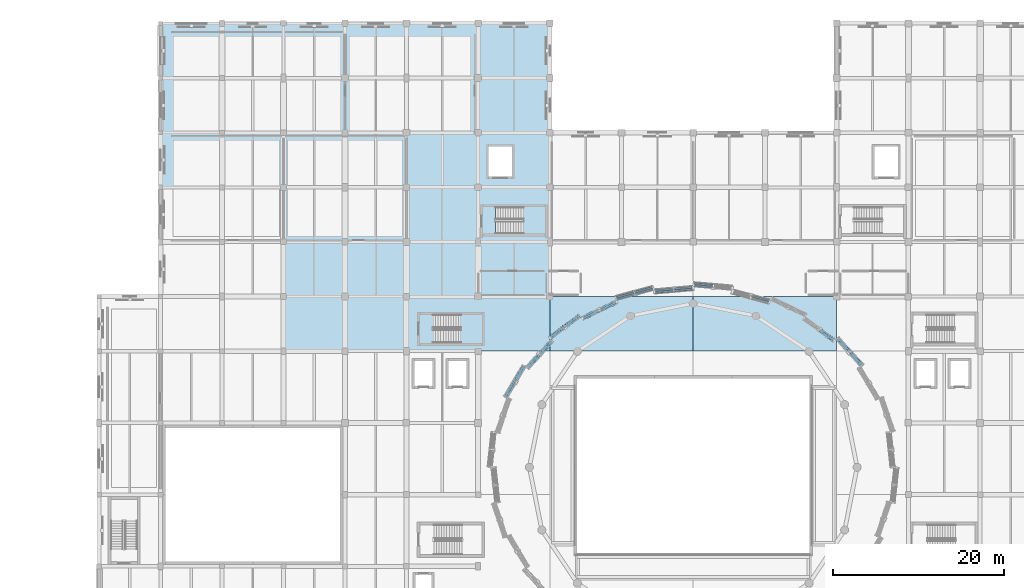
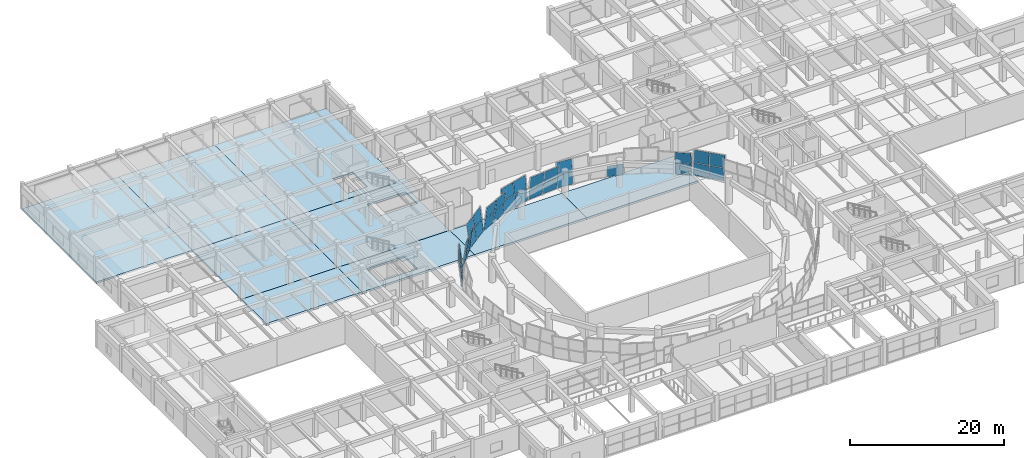
# One storey, part 44 of 71: 33 plates, 11 slabs, 12 elements without a shape of their own.
"""IFC4 building model written with IfcOpenShell, lengths in metres."""

from ifc_helpers import new_model, si_unit, direction, frame, origin, place, context, subcontext, project, spatial, polyline, outline, extrude, material, layer, layer_set, type_object, element, aggregate, save


model = new_model("IFC4")

# Units and contexts
model_context = context("Model", 3, precision=1e-05, world=origin(), true_north=direction((0.0, 1.0)))
body_context = subcontext(model_context, "Body", "Model", "MODEL_VIEW")
ifc_project = project(units=[si_unit("LENGTHUNIT", "METRE"), si_unit("AREAUNIT", "SQUARE_METRE"), si_unit("VOLUMEUNIT", "CUBIC_METRE"), si_unit("PLANEANGLEUNIT", "RADIAN"), si_unit("MASSUNIT", "GRAM", prefix="KILO")], contexts=[model_context])

# Site, building, storey
site_placement = place(None, origin())
site = spatial("IfcSite", under=ifc_project, at=site_placement, CompositionType="ELEMENT")
building_placement = place(site_placement, origin())
building = spatial("IfcBuilding", under=site, at=building_placement, Name="Korsvaeld Concert Hall", CompositionType="ELEMENT")
storey_placement = place(building_placement, frame((0.0, 0.0, 4.800048828125)))
storey = spatial("IfcBuildingStorey", under=building, at=storey_placement, Name="L01", CompositionType="ELEMENT", Elevation=4.800048828125)

# Curtain wall, plates
ifc_material_1 = material(Name="Anodised bronze and ceramic-fritted safety glass", Category="glass")
curtain_wall_type_1 = type_object("IfcCurtainWallType", Name="CW-TYPE-04", PredefinedType="USERDEFINED", material=ifc_material_1)
curtain_wall_1_placement = place(storey_placement, origin())
curtain_wall_1 = element("IfcCurtainWall", 1, at=curtain_wall_1_placement, inside=storey, type_object=curtain_wall_type_1, Name="Crystal curtain-wall facet L01 F04", ObjectType="CURTAIN WALL", PredefinedType="USERDEFINED")
ifc_material_2 = material(Name="Translucent ceramic-fritted crystal safety glass", Category="glass")
ifc_layer_1 = layer(ifc_material_2, 0.035888671875)
ifc_layer_set_1 = layer_set([ifc_layer_1], Name="Translucent ceramic-fritted crystal safety glass")
plate_type = type_object("IfcPlateType", Name="CWP-CRYSTAL-36", PredefinedType="CURTAIN_PANEL", material=ifc_layer_set_1)
plate_1_placement = place(storey_placement, frame((103.57763671875, 75.03759765625, 0.06005859375), z_axis=(0.733584802726, 0.670208907764, -0.112576006159), x_axis=(-0.674496604142, 0.738277949692, 0.0)))
plate_1 = element("IfcPlate", 2, at=plate_1_placement, type_object=plate_type, Name="CW-CRYS-L01-F04 ceramic-fritted crystal panel 1.1", PredefinedType="CURTAIN_PANEL", context=body_context, shape_type="SweptSolid", body=[
    extrude(outline(polyline([(0.0, 0.0), (2.0631705985682665, 1.3877787807814457e-17), (2.0410082866452655, 1.8616880497932604), (-0.02216231192300119, 1.8616880497932604), (0.0, 0.0)])), frame((0.0, 0.0, 0.01806640625)), (0.0, 0.0, -1.0), 0.035888671875),
])
plate_2_placement = place(storey_placement, frame((103.752685546875, 75.166748046875, 1.969970703125), z_axis=(0.733586029487, 0.670210028542, -0.112561338758), x_axis=(-0.674496604142, 0.738277949692, 0.0)))
plate_2 = element("IfcPlate", 3, at=plate_2_placement, type_object=plate_type, Name="CW-CRYS-L01-F04 ceramic-fritted crystal panel 1.2", PredefinedType="CURTAIN_PANEL", context=body_context, shape_type="SweptSolid", body=[
    extrude(outline(polyline([(0.0, 0.0), (2.0631705985682665, 0.0), (2.0410082866452655, 1.861930638647585), (-0.02216231192300118, 1.861930638647585), (0.0, 0.0)])), frame((0.0, 0.0, 0.01806640625)), (0.0, 0.0, -1.0), 0.035888671875),
])
plate_3_placement = place(storey_placement, frame((102.135498046875, 76.6162109375, 0.06005859375), z_axis=(0.733559567217, 0.670244640635, -0.112527699015), x_axis=(-0.674528442771, 0.738248860392, 4.883933e-06)))
plate_3 = element("IfcPlate", 4, at=plate_3_placement, type_object=plate_type, Name="CW-CRYS-L01-F04 ceramic-fritted crystal panel 2.1", PredefinedType="CURTAIN_PANEL", context=body_context, shape_type="SweptSolid", body=[
    extrude(outline(polyline([(0.0, 0.0), (2.0631705966250298, 0.0), (2.0411729605902793, 1.8616677651911033), (-0.02216231583034897, 1.8616880475932007), (0.0, 0.0)])), frame((0.0, 0.0, 0.01806640625)), (0.0, 0.0, -1.0), 0.035888671875),
])
plate_4_placement = place(storey_placement, frame((102.310546875, 76.745361328125, 1.969970703125), z_axis=(0.733586029487, 0.670210028542, -0.112561338758), x_axis=(-0.674496604142, 0.738277949692, 0.0)))
plate_4 = element("IfcPlate", 5, at=plate_4_placement, type_object=plate_type, Name="CW-CRYS-L01-F04 ceramic-fritted crystal panel 2.2", PredefinedType="CURTAIN_PANEL", context=body_context, shape_type="SweptSolid", body=[
    extrude(outline(polyline([(0.0, 0.0), (2.0631705985682665, 0.0), (2.0410082866452655, 1.861930638647585), (-0.02216231192300118, 1.861930638647585), (0.0, 0.0)])), frame((0.0, 0.0, 0.01806640625)), (0.0, 0.0, -1.0), 0.035888671875),
])
aggregate(curtain_wall_1, [plate_1, plate_2, plate_3, plate_4])

curtain_wall_type_2 = type_object("IfcCurtainWallType", Name="CW-TYPE-05", PredefinedType="USERDEFINED", material=ifc_material_1)
curtain_wall_2_placement = place(storey_placement, origin())
curtain_wall_2 = element("IfcCurtainWall", 6, at=curtain_wall_2_placement, inside=storey, type_object=curtain_wall_type_2, Name="Crystal curtain-wall facet L01 F05", ObjectType="CURTAIN WALL", PredefinedType="USERDEFINED")
plate_5_placement = place(storey_placement, frame((100.622802734375, 78.230224609375, 0.06005859375), z_axis=(0.589598255298, 0.799799350022, 0.112671633763), x_axis=(-0.804925147013, 0.593376362599, 3.844788e-06)))
plate_5 = element("IfcPlate", 7, at=plate_5_placement, type_object=plate_type, Name="CW-CRYS-L01-F05 ceramic-fritted crystal panel 1.1", PredefinedType="CURTAIN_PANEL", context=body_context, shape_type="SweptSolid", body=[
    extrude(outline(polyline([(0.0, 0.0), (2.1091544694851807, 1.3877787807814457e-17), (2.1311079480460227, 1.8617001116168175), (0.02214999348931192, 1.8617164332987393), (0.0, 0.0)])), frame((0.0, 0.0, 0.01806640625)), (0.0, 0.0, -1.0), 0.035888671875),
])
plate_6_placement = place(storey_placement, frame((100.475830078125, 78.069580078125, 1.969970703125), z_axis=(0.589629269114, 0.799783907169, 0.112618945289), x_axis=(-0.804904507896, 0.593404358906, 0.0)))
plate_6 = element("IfcPlate", 8, at=plate_6_placement, type_object=plate_type, Name="CW-CRYS-L01-F05 ceramic-fritted crystal panel 1.2", PredefinedType="CURTAIN_PANEL", context=body_context, shape_type="SweptSolid", body=[
    extrude(outline(polyline([(0.0, 0.0), (2.1089579558479716, 1.3877787807814457e-17), (2.130897028751609, 1.8619428700867073), (0.0219390729036376, 1.8619428700867073), (0.0, 0.0)])), frame((0.0, 0.0, 0.01806640625)), (0.0, 0.0, -1.0), 0.035888671875),
])
aggregate(curtain_wall_2, [plate_5, plate_6])

# Curtain wall, plate
curtain_wall_type_3 = type_object("IfcCurtainWallType", Name="CW-TYPE-07", PredefinedType="USERDEFINED", material=ifc_material_1)
curtain_wall_3_placement = place(storey_placement, origin())
curtain_wall_3 = element("IfcCurtainWall", 9, at=curtain_wall_3_placement, inside=storey, type_object=curtain_wall_type_3, Name="Crystal curtain-wall facet L01 F07", ObjectType="CURTAIN WALL", PredefinedType="USERDEFINED")
plate_7_placement = place(storey_placement, frame((92.956787109375, 82.799560546875, 0.06005859375), z_axis=(0.261163257484, 0.95865482659, 0.113025114009), x_axis=(-0.964837328331, 0.262847731312, -1.651587e-06)))
plate_7 = element("IfcPlate", 10, at=plate_7_placement, type_object=plate_type, Name="CW-CRYS-L01-F07 ceramic-fritted crystal panel 1.1", PredefinedType="CURTAIN_PANEL", context=body_context, shape_type="SweptSolid", body=[
    extrude(outline(polyline([(0.0, 0.0), (2.1817033119443425, 1.3877787807814457e-17), (2.194456725435953, 1.8617872278587024), (0.012517857503248199, 1.8617799744460803), (0.0, 0.0)])), frame((0.0, 0.0, 0.01806640625)), (0.0, 0.0, -1.0), 0.035888671875),
])
aggregate(curtain_wall_3, [plate_7])

# Curtain wall, plates
curtain_wall_type_4 = type_object("IfcCurtainWallType", Name="CW-TYPE-08", PredefinedType="USERDEFINED", material=ifc_material_1)
curtain_wall_4_placement = place(storey_placement, origin())
curtain_wall_4 = element("IfcCurtainWall", 11, at=curtain_wall_4_placement, inside=storey, type_object=curtain_wall_type_4, Name="Crystal curtain-wall facet L01 F08", ObjectType="CURTAIN WALL", PredefinedType="USERDEFINED")
plate_8_placement = place(storey_placement, frame((86.265380859375, 84.206298828125, 0.06005859375), z_axis=(0.087550800333, 0.989704699412, -0.113223077693), x_axis=(-0.996110030963, 0.088118137607, 6.221905e-06)))
plate_8 = element("IfcPlate", 12, at=plate_8_placement, type_object=plate_type, Name="CW-CRYS-L01-F08 ceramic-fritted crystal panel 2.1", PredefinedType="CURTAIN_PANEL", context=body_context, shape_type="SweptSolid", body=[
    extrude(outline(polyline([(0.0, 0.0), (2.1985040964360127, 0.0), (2.1941139993973406, 1.861812074856083), (-0.004368583821483034, 1.8618396095481469), (0.0, 0.0)])), frame((0.0, 0.0, 0.01806640625)), (0.0, 0.0, -1.0), 0.035888671875),
])
plate_9_placement = place(storey_placement, frame((86.2890625, 84.422607421875, 1.969970703125), z_axis=(0.08755094843, 0.989706373559, -0.113208328167), x_axis=(-0.99611003098, 0.088118137423, 6.221105e-06)))
plate_9 = element("IfcPlate", 13, at=plate_9_placement, type_object=plate_type, Name="CW-CRYS-L01-F08 ceramic-fritted crystal panel 2.2", PredefinedType="CURTAIN_PANEL", context=body_context, shape_type="SweptSolid", body=[
    extrude(outline(polyline([(0.0, 0.0), (2.1985040964360016, 6.938893903907228e-18), (2.1941139993973517, 1.8620546475523847), (-0.004368583821505519, 1.8620821786575152), (0.0, 0.0)])), frame((0.0, 0.0, 0.01806640625)), (0.0, 0.0, -1.0), 0.035888671875),
])
aggregate(curtain_wall_4, [plate_8, plate_9])

curtain_wall_type_5 = type_object("IfcCurtainWallType", Name="CW-TYPE-01", PredefinedType="USERDEFINED", material=ifc_material_1)
curtain_wall_5_placement = place(storey_placement, origin())
curtain_wall_5 = element("IfcCurtainWall", 14, at=curtain_wall_5_placement, inside=storey, type_object=curtain_wall_type_5, Name="Crystal curtain-wall facet L01 F09", ObjectType="CURTAIN WALL", PredefinedType="USERDEFINED")
plate_10_placement = place(storey_placement, frame((83.926025390625, 84.386474609375, 0.06005859375), z_axis=(-0.087496708916, 0.989716871347, 0.113158475156), x_axis=(-0.996114965607, -0.088062337539, 0.0)))
plate_10 = element("IfcPlate", 15, at=plate_10_placement, type_object=plate_type, Name="CW-CRYS-L01-F09 ceramic-fritted crystal panel 1.1", PredefinedType="CURTAIN_PANEL", context=body_context, shape_type="SweptSolid", body=[
    extrude(outline(polyline([(0.0, 0.0), (2.198482586710795, 0.0), (2.194069178224843, 1.8618120236622642), (-0.004413408485951821, 1.8618120236622642), (0.0, 0.0)])), frame((0.0, 0.0, 0.01806640625)), (0.0, 0.0, -1.0), 0.035888671875),
])
plate_11_placement = place(storey_placement, frame((83.94970703125, 84.170166015625, 1.969970703125), z_axis=(-0.08755094843, 0.989706373559, 0.113208328167), x_axis=(-0.996110155902, -0.088116725255, -6.221166e-06)))
plate_11 = element("IfcPlate", 16, at=plate_11_placement, type_object=plate_type, Name="CW-CRYS-L01-F09 ceramic-fritted crystal panel 1.2", PredefinedType="CURTAIN_PANEL", context=body_context, shape_type="SweptSolid", body=[
    extrude(outline(polyline([(0.0, 0.0), (2.19848258339124, 0.0), (2.194090681131892, 1.8620821238047118), (-0.004413415131725044, 1.8620545924301783), (0.0, 0.0)])), frame((0.0, 0.0, 0.01806640625)), (0.0, 0.0, -1.0), 0.035888671875),
])
plate_12_placement = place(storey_placement, frame((81.661376953125, 84.186279296875, 0.06005859375), z_axis=(-0.087550800333, 0.989704699412, 0.113223077693), x_axis=(-0.996110030963, -0.088118137607, 6.221905e-06)))
plate_12 = element("IfcPlate", 17, at=plate_12_placement, type_object=plate_type, Name="CW-CRYS-L01-F09 ceramic-fritted crystal panel 2.1", PredefinedType="CURTAIN_PANEL", context=body_context, shape_type="SweptSolid", body=[
    extrude(outline(polyline([(0.0, 0.0), (2.1985040964360127, 0.0), (2.1941139993973406, 1.861812074856083), (-0.004368583821483034, 1.8618396095481469), (0.0, 0.0)])), frame((0.0, 0.0, 0.01806640625)), (0.0, 0.0, -1.0), 0.035888671875),
])
plate_13_placement = place(storey_placement, frame((81.68505859375, 83.969970703125, 1.969970703125), z_axis=(-0.08755094843, 0.989706373559, 0.113208328167), x_axis=(-0.99611003098, -0.088118137423, 6.221105e-06)))
plate_13 = element("IfcPlate", 18, at=plate_13_placement, type_object=plate_type, Name="CW-CRYS-L01-F09 ceramic-fritted crystal panel 2.2", PredefinedType="CURTAIN_PANEL", context=body_context, shape_type="SweptSolid", body=[
    extrude(outline(polyline([(0.0, 0.0), (2.1985040964360016, 6.938893903907228e-18), (2.1941139993973517, 1.8620546475523847), (-0.004368583821505519, 1.8620821786575152), (0.0, 0.0)])), frame((0.0, 0.0, 0.01806640625)), (0.0, 0.0, -1.0), 0.035888671875),
])
aggregate(curtain_wall_5, [plate_10, plate_11, plate_12, plate_13])

curtain_wall_type_6 = type_object("IfcCurtainWallType", Name="CW-TYPE-02", PredefinedType="USERDEFINED", material=ifc_material_1)
curtain_wall_6_placement = place(storey_placement, origin())
curtain_wall_6 = element("IfcCurtainWall", 19, at=curtain_wall_6_placement, inside=storey, type_object=curtain_wall_type_6, Name="Crystal curtain-wall facet L01 F10", ObjectType="CURTAIN WALL", PredefinedType="USERDEFINED")
plate_14_placement = place(storey_placement, frame((79.3212890625, 83.979248046875, 0.06005859375), z_axis=(-0.261177861988, 0.958652842085, -0.1130081978), x_axis=(-0.964833511963, -0.262861739689, 0.0)))
plate_14 = element("IfcPlate", 20, at=plate_14_placement, type_object=plate_type, Name="CW-CRYS-L01-F10 ceramic-fritted crystal panel 1.1", PredefinedType="CURTAIN_PANEL", context=body_context, shape_type="SweptSolid", body=[
    extrude(outline(polyline([(0.0, 0.0), (2.1817033121772686, 1.3877787807814457e-17), (2.1942211701450334, 1.8617799747159085), (0.012517857967764405, 1.8617799747159085), (0.0, 0.0)])), frame((0.0, 0.0, 0.01806640625)), (0.0, 0.0, -1.0), 0.035888671875),
])
plate_15_placement = place(storey_placement, frame((79.251708984375, 84.185546875, 1.969970703125), z_axis=(-0.26128178054, 0.958626175241, -0.112994191446), x_axis=(-0.964805126409, -0.262965906641, 0.0)))
plate_15 = element("IfcPlate", 21, at=plate_15_placement, type_object=plate_type, Name="CW-CRYS-L01-F10 ceramic-fritted crystal panel 1.2", PredefinedType="CURTAIN_PANEL", context=body_context, shape_type="SweptSolid", body=[
    extrude(outline(polyline([(0.0, 0.0), (2.1817675001225645, -1.3877787807814457e-17), (2.1942626425191207, 1.862022704165911), (0.01249514239655624, 1.862022704165911), (0.0, 0.0)])), frame((0.0, 0.0, 0.01806640625)), (0.0, 0.0, -1.0), 0.035888671875),
])
plate_16_placement = place(storey_placement, frame((77.14404296875, 83.385986328125, 0.06005859375), z_axis=(-0.261163257484, 0.95865482659, -0.113025114009), x_axis=(-0.964837427091, -0.262847368795, 1.651408e-06)))
plate_16 = element("IfcPlate", 22, at=plate_16_placement, type_object=plate_type, Name="CW-CRYS-L01-F10 ceramic-fritted crystal panel 2.1", PredefinedType="CURTAIN_PANEL", context=body_context, shape_type="SweptSolid", body=[
    extrude(outline(polyline([(0.0, 0.0), (2.181938867944761, 0.0), (2.1944629145573438, 1.8617799328227183), (0.012759602625056205, 1.8617871854522823), (0.0, 0.0)])), frame((0.0, 0.0, 0.01806640625)), (0.0, 0.0, -1.0), 0.035888671875),
])
plate_17_placement = place(storey_placement, frame((77.07421875, 83.59228515625, 1.969970703125), z_axis=(-0.26128178054, 0.958626175241, -0.112994191446), x_axis=(-0.964805126409, -0.262965906641, 0.0)))
plate_17 = element("IfcPlate", 23, at=plate_17_placement, type_object=plate_type, Name="CW-CRYS-L01-F10 ceramic-fritted crystal panel 2.2", PredefinedType="CURTAIN_PANEL", context=body_context, shape_type="SweptSolid", body=[
    extrude(outline(polyline([(0.0, 0.0), (2.1817675001225645, -1.3877787807814457e-17), (2.1942626425191207, 1.862022704165911), (0.01249514239655624, 1.862022704165911), (0.0, 0.0)])), frame((0.0, 0.0, 0.01806640625)), (0.0, 0.0, -1.0), 0.035888671875),
])
aggregate(curtain_wall_6, [plate_14, plate_15, plate_16, plate_17])

curtain_wall_type_7 = type_object("IfcCurtainWallType", Name="CW-TYPE-03", PredefinedType="USERDEFINED", material=ifc_material_1)
curtain_wall_7_placement = place(storey_placement, origin())
curtain_wall_7 = element("IfcCurtainWall", 24, at=curtain_wall_7_placement, inside=storey, type_object=curtain_wall_type_7, Name="Crystal curtain-wall facet L01 F11", ObjectType="CURTAIN WALL", PredefinedType="USERDEFINED")
plate_18_placement = place(storey_placement, frame((74.904541015625, 82.747802734375, 0.06005859375), z_axis=(-0.429998436231, 0.895754874635, 0.112803144489), x_axis=(-0.901508884705, -0.432760592935, 0.0)))
plate_18 = element("IfcPlate", 25, at=plate_18_placement, type_object=plate_type, Name="CW-CRYS-L01-F11 ceramic-fritted crystal panel 1.1", PredefinedType="CURTAIN_PANEL", context=body_context, shape_type="SweptSolid", body=[
    extrude(outline(polyline([(0.0, 0.0), (2.1505286703400395, 0.0), (2.131642301423537, 1.8617363153269957), (-0.01888636891650229, 1.8617363153269957), (0.0, 0.0)])), frame((0.0, 0.0, 0.01806640625)), (0.0, 0.0, -1.0), 0.035888671875),
])
plate_19_placement = place(storey_placement, frame((75.015869140625, 82.560791015625, 1.969970703125), z_axis=(-0.430022527134, 0.89574865601, 0.112760682039), x_axis=(-0.901498388408, -0.432782457697, -2.752414e-06)))
plate_19 = element("IfcPlate", 26, at=plate_19_placement, type_object=plate_type, Name="CW-CRYS-L01-F11 ceramic-fritted crystal panel 1.2", PredefinedType="CURTAIN_PANEL", context=body_context, shape_type="SweptSolid", body=[
    extrude(outline(polyline([(0.0, 0.0), (2.15052866969938, 0.0), (2.1316423020585704, 1.8619788971660192), (-0.0186662752608272, 1.8619669834991164), (0.0, 0.0)])), frame((0.0, 0.0, 0.01806640625)), (0.0, 0.0, -1.0), 0.035888671875),
])
plate_20_placement = place(storey_placement, frame((72.898193359375, 81.78466796875, 0.06005859375), z_axis=(-0.430113427157, 0.895703033921, 0.112776392934), x_axis=(-0.901453820686, -0.432875281302, 2.753526e-06)))
plate_20 = element("IfcPlate", 27, at=plate_20_placement, type_object=plate_type, Name="CW-CRYS-L01-F11 ceramic-fritted crystal panel 2.1", PredefinedType="CURTAIN_PANEL", context=body_context, shape_type="SweptSolid", body=[
    extrude(outline(polyline([(0.0, 0.0), (2.1504142538707636, -2.7755575615628914e-17), (2.1317797781060044, 1.8617247179411751), (-0.018854557263950404, 1.8617366370278832), (0.0, 0.0)])), frame((0.0, 0.0, 0.01806640625)), (0.0, 0.0, -1.0), 0.035888671875),
])
plate_21_placement = place(storey_placement, frame((73.009521484375, 81.59765625, 1.969970703125), z_axis=(-0.430090776937, 0.89571226322, 0.112789472515), x_axis=(-0.901464591462, -0.432852850679, 0.0)))
plate_21 = element("IfcPlate", 28, at=plate_21_placement, type_object=plate_type, Name="CW-CRYS-L01-F11 ceramic-fritted crystal panel 2.2", PredefinedType="CURTAIN_PANEL", context=body_context, shape_type="SweptSolid", body=[
    extrude(outline(polyline([(0.0, 0.0), (2.150634336043882, 0.0), (2.1317694595248153, 1.8619791157700134), (-0.01886487651906714, 1.8619791157700134), (0.0, 0.0)])), frame((0.0, 0.0, 0.01806640625)), (0.0, 0.0, -1.0), 0.035888671875),
])
aggregate(curtain_wall_7, [plate_18, plate_19, plate_20, plate_21])

curtain_wall_8_placement = place(storey_placement, origin())
curtain_wall_8 = element("IfcCurtainWall", 29, at=curtain_wall_8_placement, inside=storey, type_object=curtain_wall_type_1, Name="Crystal curtain-wall facet L01 F12", ObjectType="CURTAIN WALL", PredefinedType="USERDEFINED")
plate_22_placement = place(storey_placement, frame((70.823486328125, 80.787841796875, 0.06005859375), z_axis=(-0.589669009393, 0.799759801484, -0.112582055815), x_axis=(-0.804876511252, -0.593442332167, -5.21124e-06)))
plate_22 = element("IfcPlate", 30, at=plate_22_placement, type_object=plate_type, Name="CW-CRYS-L01-F12 ceramic-fritted crystal panel 1.1", PredefinedType="CURTAIN_PANEL", context=body_context, shape_type="SweptSolid", body=[
    extrude(outline(polyline([(0.0, 0.0), (2.1091028368541727, 0.0), (2.131022376908778, 1.8617005103474094), (0.022064423436481417, 1.8616783883797805), (0.0, 0.0)])), frame((0.0, 0.0, 0.01806640625)), (0.0, 0.0, -1.0), 0.035888671875),
])
plate_23_placement = place(storey_placement, frame((70.6767578125, 80.948486328125, 1.969970703125), z_axis=(-0.589606250178, 0.799810195203, -0.112552749416), x_axis=(-0.80492463014, -0.593377063746, -3.841142e-06)))
plate_23 = element("IfcPlate", 31, at=plate_23_placement, type_object=plate_type, Name="CW-CRYS-L01-F12 ceramic-fritted crystal panel 1.2", PredefinedType="CURTAIN_PANEL", context=body_context, shape_type="SweptSolid", body=[
    extrude(outline(polyline([(0.0, 0.0), (2.108957954619836, 1.3877787807814457e-17), (2.131238413993404, 1.8619370542060762), (0.022083944571287713, 1.8619207482265476), (0.0, 0.0)])), frame((0.0, 0.0, 0.01806640625)), (0.0, 0.0, -1.0), 0.035888671875),
])
plate_24_placement = place(storey_placement, frame((69.065673828125, 79.49169921875, 0.06005859375), z_axis=(-0.58966384127, 0.799752792031, -0.11265889196), x_axis=(-0.804877212545, -0.593441381012, 5.215109e-06)))
plate_24 = element("IfcPlate", 32, at=plate_24_placement, type_object=plate_type, Name="CW-CRYS-L01-F12 ceramic-fritted crystal panel 2.1", PredefinedType="CURTAIN_PANEL", context=body_context, shape_type="SweptSolid", body=[
    extrude(outline(polyline([(0.0, 0.0), (2.1089579535883605, 1.3877787807814457e-17), (2.1312384150357766, 1.8616944649944416), (0.022135578297754987, 1.8617166035808894), (0.0, 0.0)])), frame((0.0, 0.0, 0.01806640625)), (0.0, 0.0, -1.0), 0.035888671875),
])
plate_25_placement = place(storey_placement, frame((68.9189453125, 79.65234375, 1.969970703125), z_axis=(-0.589599242948, 0.799800689785, -0.112656954223), x_axis=(-0.804925146945, -0.593376362691, 3.844294e-06)))
plate_25 = element("IfcPlate", 33, at=plate_25_placement, type_object=plate_type, Name="CW-CRYS-L01-F12 ceramic-fritted crystal panel 2.2", PredefinedType="CURTAIN_PANEL", context=body_context, shape_type="SweptSolid", body=[
    extrude(outline(polyline([(0.0, 0.0), (2.1091544694851763, -1.3877787807814457e-17), (2.1311079480460267, 1.8619426988996264), (0.022149993489303757, 1.8619590184550607), (0.0, 0.0)])), frame((0.0, 0.0, 0.01806640625)), (0.0, 0.0, -1.0), 0.035888671875),
])
aggregate(curtain_wall_8, [plate_22, plate_23, plate_24, plate_25])

curtain_wall_9_placement = place(storey_placement, origin())
curtain_wall_9 = element("IfcCurtainWall", 34, at=curtain_wall_9_placement, inside=storey, type_object=curtain_wall_type_2, Name="Crystal curtain-wall facet L01 F13", ObjectType="CURTAIN WALL", PredefinedType="USERDEFINED")
plate_26_placement = place(storey_placement, frame((67.267333984375, 78.13134765625, 0.06005859375), z_axis=(-0.733582622808, 0.670211994762, 0.112571833028), x_axis=(-0.674499425249, -0.738275372296, -4.22007e-07)))
plate_26 = element("IfcPlate", 35, at=plate_26_placement, type_object=plate_type, Name="CW-CRYS-L01-F13 ceramic-fritted crystal panel 1.1", PredefinedType="CURTAIN_PANEL", context=body_context, shape_type="SweptSolid", body=[
    extrude(outline(polyline([(0.0, 0.0), (2.0635155142750765, -2.7755575615628914e-17), (2.0413516208468, 1.8616880309496175), (-0.02181897770621977, 1.8616862783170856), (0.0, 0.0)])), frame((0.0, 0.0, 0.01806640625)), (0.0, 0.0, -1.0), 0.035888671875),
])
plate_27_placement = place(storey_placement, frame((67.4423828125, 78.002197265625, 1.969970703125), z_axis=(-0.733578723806, 0.670203354014, 0.112648658439), x_axis=(-0.674496604142, -0.738277949692, 0.0)))
plate_27 = element("IfcPlate", 36, at=plate_27_placement, type_object=plate_type, Name="CW-CRYS-L01-F13 ceramic-fritted crystal panel 1.2", PredefinedType="CURTAIN_PANEL", context=body_context, shape_type="SweptSolid", body=[
    extrude(outline(polyline([(0.0, 0.0), (2.0631705985682665, -1.3877787807814457e-17), (2.0411885302853268, 1.8619491815404832), (-0.02198206828293976, 1.8619491815404832), (0.0, 0.0)])), frame((0.0, 0.0, 0.01806640625)), (0.0, 0.0, -1.0), 0.035888671875),
])
plate_28_placement = place(storey_placement, frame((65.824951171875, 76.552734375, 0.06005859375), z_axis=(-0.733607855035, 0.670176259909, 0.112620138901), x_axis=(-0.674466768396, -0.738305206747, 4.465212e-06)))
plate_28 = element("IfcPlate", 37, at=plate_28_placement, type_object=plate_type, Name="CW-CRYS-L01-F13 ceramic-fritted crystal panel 2.1", PredefinedType="CURTAIN_PANEL", context=body_context, shape_type="SweptSolid", body=[
    extrude(outline(polyline([(0.0, 0.0), (2.063350847157613, -1.3877787807814457e-17), (2.041205264816149, 1.8616882470765375), (-0.021965332046848314, 1.8617067908425107), (0.0, 0.0)])), frame((0.0, 0.0, 0.01806640625)), (0.0, 0.0, -1.0), 0.035888671875),
])
plate_29_placement = place(storey_placement, frame((66.000244140625, 76.423583984375, 1.969970703125), z_axis=(-0.733578723806, 0.670203354014, 0.112648658439), x_axis=(-0.674496604142, -0.738277949692, 0.0)))
plate_29 = element("IfcPlate", 38, at=plate_29_placement, type_object=plate_type, Name="CW-CRYS-L01-F13 ceramic-fritted crystal panel 2.2", PredefinedType="CURTAIN_PANEL", context=body_context, shape_type="SweptSolid", body=[
    extrude(outline(polyline([(0.0, 0.0), (2.0631705985682665, -1.3877787807814457e-17), (2.0411885302853268, 1.8619491815404832), (-0.02198206828293976, 1.8619491815404832), (0.0, 0.0)])), frame((0.0, 0.0, 0.01806640625)), (0.0, 0.0, -1.0), 0.035888671875),
])
aggregate(curtain_wall_9, [plate_26, plate_27, plate_28, plate_29])

curtain_wall_type_8 = type_object("IfcCurtainWallType", Name="CW-TYPE-06", PredefinedType="USERDEFINED", material=ifc_material_1)
curtain_wall_10_placement = place(storey_placement, origin())
curtain_wall_10 = element("IfcCurtainWall", 39, at=curtain_wall_10_placement, inside=storey, type_object=curtain_wall_type_8, Name="Crystal curtain-wall facet L01 F14", ObjectType="CURTAIN WALL", PredefinedType="USERDEFINED")
plate_30_placement = place(storey_placement, frame((64.332763671875, 74.91650390625, 0.06005859375), z_axis=(-0.853873261787, 0.508120642844, -0.112755776441), x_axis=(-0.511381861684, -0.859353589357, 0.0)))
plate_30 = element("IfcPlate", 40, at=plate_30_placement, type_object=plate_type, Name="CW-CRYS-L01-F14 ceramic-fritted crystal panel 1.1", PredefinedType="CURTAIN_PANEL", context=body_context, shape_type="SweptSolid", body=[
    extrude(outline(polyline([(0.0, 0.0), (2.0199366887482033, 1.3877787807814457e-17), (2.0386029109089057, 1.8617262415621827), (0.018666222160702132, 1.8617262415621827), (0.0, 0.0)])), frame((0.0, 0.0, 0.01806640625)), (0.0, 0.0, -1.0), 0.035888671875),
])
plate_31_placement = place(storey_placement, frame((64.13671875, 75.0107421875, 1.969970703125), z_axis=(-0.853863841898, 0.508115037281, -0.112852330006), x_axis=(-0.511381861684, -0.859353589357, 0.0)))
plate_31 = element("IfcPlate", 41, at=plate_31_placement, type_object=plate_type, Name="CW-CRYS-L01-F14 ceramic-fritted crystal panel 1.2", PredefinedType="CURTAIN_PANEL", context=body_context, shape_type="SweptSolid", body=[
    extrude(outline(polyline([(0.0, 0.0), (2.0199366887482033, 1.3877787807814457e-17), (2.0387277599962306, 1.8619924905422793), (0.01879107124802723, 1.8619924905422793), (0.0, 0.0)])), frame((0.0, 0.0, 0.01806640625)), (0.0, 0.0, -1.0), 0.035888671875),
])
plate_32_placement = place(storey_placement, frame((63.261474609375, 73.1162109375, 0.06005859375), z_axis=(-0.853892161526, 0.508096158557, -0.112722979661), x_axis=(-0.511355642616, -0.859369191182, 3.461232e-06)))
plate_32 = element("IfcPlate", 42, at=plate_32_placement, type_object=plate_type, Name="CW-CRYS-L01-F14 ceramic-fritted crystal panel 2.1", PredefinedType="CURTAIN_PANEL", context=body_context, shape_type="SweptSolid", body=[
    extrude(outline(polyline([(0.0, 0.0), (2.019936687795968, 1.3877787807814457e-17), (2.0388127149924404, 1.8617121671868948), (0.018666220265031574, 1.8617262405480326), (0.0, 0.0)])), frame((0.0, 0.0, 0.01806640625)), (0.0, 0.0, -1.0), 0.035888671875),
])
plate_33_placement = place(storey_placement, frame((63.0654296875, 73.21044921875, 1.969970703125), z_axis=(-0.85388274351, 0.508090554503, -0.112819540684), x_axis=(-0.511355643194, -0.859369190838, 3.464158e-06)))
plate_33 = element("IfcPlate", 43, at=plate_33_placement, type_object=plate_type, Name="CW-CRYS-L01-F14 ceramic-fritted crystal panel 2.2", PredefinedType="CURTAIN_PANEL", context=body_context, shape_type="SweptSolid", body=[
    extrude(outline(polyline([(0.0, 0.0), (2.019936687795989, 1.3877787807814457e-17), (2.038937564079803, 1.8619784041117298), (0.01879106935245732, 1.861992489528423), (0.0, 0.0)])), frame((0.0, 0.0, 0.01806640625)), (0.0, 0.0, -1.0), 0.035888671875),
])
aggregate(curtain_wall_10, [plate_30, plate_31, plate_32, plate_33])

# Slabs
ifc_material_3 = material(Name="Concrete C35/45", Category="concrete")
ifc_layer_2 = layer(ifc_material_3, 0.280029296875)
ifc_layer_set_2 = layer_set([ifc_layer_2], Name="Concrete C35/45")
slab_type_1 = type_object("IfcSlabType", Name="SLB-FOY-280", PredefinedType="FLOOR", material=ifc_layer_set_2)
slab_1_placement = place(storey_placement, frame((0.0, 0.0, -0.280029296875)))
element("IfcSlab", 44, at=slab_1_placement, inside=storey, type_object=slab_type_1, Name="Structural slab L01 V5_L01_W 1.2", PredefinedType="FLOOR", context=body_context, shape_type="SweptSolid", body=[
    extrude(outline(polyline([(21.60009765625, 96.0), (21.60009765625, 115.199951171875), (36.0, 115.199951171875), (36.0, 96.0), (21.60009765625, 96.0)])), origin(), (0.0, 0.0, 1.0), 0.280029296875),
])
slab_2_placement = place(storey_placement, frame((0.0, 0.0, -0.280029296875)))
element("IfcSlab", 45, at=slab_2_placement, inside=storey, type_object=slab_type_1, Name="Structural slab L01 V5_L01_W 2.1", PredefinedType="FLOOR", context=body_context, shape_type="SweptSolid", body=[
    extrude(outline(polyline([(36.0, 83.199951171875), (36.0, 96.0), (50.39990234375, 96.0), (50.39990234375, 83.199951171875), (36.0, 83.199951171875)])), origin(), (0.0, 0.0, 1.0), 0.280029296875),
])
slab_3_placement = place(storey_placement, frame((0.0, 0.0, -0.280029296875)))
element("IfcSlab", 46, at=slab_3_placement, inside=storey, type_object=slab_type_1, Name="Structural slab L01 V5_L01_W 2.2", PredefinedType="FLOOR", context=body_context, shape_type="SweptSolid", body=[
    extrude(outline(polyline([(36.0, 96.0), (36.0, 115.199951171875), (50.39990234375, 115.199951171875), (50.39990234375, 96.0), (36.0, 96.0)])), origin(), (0.0, 0.0, 1.0), 0.280029296875),
])
slab_4_placement = place(storey_placement, frame((0.0, 0.0, -0.280029296875)))
element("IfcSlab", 47, at=slab_4_placement, inside=storey, type_object=slab_type_1, Name="Structural slab L01 V5_L01_W 3.1", PredefinedType="FLOOR", context=body_context, shape_type="SweptSolid", body=[
    extrude(outline(polyline([(50.39990234375, 83.199951171875), (50.39990234375, 96.0), (67.199951171875, 96.0), (67.199951171875, 83.199951171875), (50.39990234375, 83.199951171875)]), holes=[polyline([(60.844970703125, 90.594970703125), (66.60498046875, 90.594970703125), (66.60498046875, 93.64501953125), (60.844970703125, 93.64501953125), (60.844970703125, 90.594970703125)])]), origin(), (0.0, 0.0, 1.0), 0.280029296875),
])
slab_5_placement = place(storey_placement, frame((0.0, 0.0, -0.280029296875)))
element("IfcSlab", 48, at=slab_5_placement, inside=storey, type_object=slab_type_1, Name="Structural slab L01 V5_L01_W 3.2", PredefinedType="FLOOR", context=body_context, shape_type="SweptSolid", body=[
    extrude(outline(polyline([(50.39990234375, 96.0), (50.39990234375, 115.199951171875), (67.199951171875, 115.199951171875), (67.199951171875, 96.0), (50.39990234375, 96.0)]), holes=[polyline([(62.89990234375, 100.89990234375), (59.89990234375, 100.89990234375), (59.89990234375, 97.10009765625), (62.89990234375, 97.10009765625), (62.89990234375, 100.89990234375)])]), origin(), (0.0, 0.0, 1.0), 0.280029296875),
])
ifc_layer_3 = layer(ifc_material_3, 0.320068359375)
ifc_layer_set_3 = layer_set([ifc_layer_3], Name="Concrete C35/45")
slab_type_2 = type_object("IfcSlabType", Name="SLB-HALL-320", PredefinedType="FLOOR", material=ifc_layer_set_3)
slab_6_placement = place(storey_placement, frame((0.0, 0.0, -0.320068359375)))
element("IfcSlab", 49, at=slab_6_placement, inside=storey, type_object=slab_type_2, Name="Structural slab L01 V3_L01 2.3", PredefinedType="FLOOR", context=body_context, shape_type="SweptSolid", body=[
    extrude(outline(polyline([(36.0, 76.800048828125), (36.0, 83.199951171875), (50.39990234375, 83.199951171875), (50.39990234375, 76.800048828125), (36.0, 76.800048828125)])), origin(), (0.0, 0.0, 1.0), 0.320068359375),
])
slab_7_placement = place(storey_placement, frame((0.0, 0.0, -0.320068359375)))
element("IfcSlab", 50, at=slab_7_placement, inside=storey, type_object=slab_type_2, Name="Structural slab L01 V1_L01 1.3", PredefinedType="FLOOR", context=body_context, shape_type="SweptSolid", body=[
    extrude(outline(polyline([(50.39990234375, 76.800048828125), (50.39990234375, 83.199951171875), (67.199951171875, 83.199951171875), (67.199951171875, 76.800048828125), (50.39990234375, 76.800048828125)]), holes=[polyline([(53.544921875, 77.794921875), (59.205078125, 77.794921875), (59.205078125, 81.044921875), (53.544921875, 81.044921875), (53.544921875, 77.794921875)])]), origin(), (0.0, 0.0, 1.0), 0.320068359375),
])
slab_8_placement = place(storey_placement, frame((0.0, 0.0, -0.320068359375)))
element("IfcSlab", 51, at=slab_8_placement, inside=storey, type_object=slab_type_2, Name="Structural slab L01 V1_L01 2.3", PredefinedType="FLOOR", context=body_context, shape_type="SweptSolid", body=[
    extrude(outline(polyline([(67.199951171875, 76.800048828125), (67.199951171875, 83.199951171875), (84.0, 83.199951171875), (84.0, 76.800048828125), (67.199951171875, 76.800048828125)])), origin(), (0.0, 0.0, 1.0), 0.320068359375),
])
slab_9_placement = place(storey_placement, frame((0.0, 0.0, -0.320068359375)))
element("IfcSlab", 52, at=slab_9_placement, inside=storey, type_object=slab_type_2, Name="Structural slab L01 V1_L01 3.3", PredefinedType="FLOOR", context=body_context, shape_type="SweptSolid", body=[
    extrude(outline(polyline([(84.0, 76.800048828125), (84.0, 83.199951171875), (100.800048828125, 83.199951171875), (100.800048828125, 76.800048828125), (84.0, 76.800048828125)])), origin(), (0.0, 0.0, 1.0), 0.320068359375),
])

# Stair, slab
ifc_material_4 = material(Name="Precast concrete C40/50", Category="concrete")
stair_type_1 = type_object("IfcStairType", Name="STR-HT-155-42", PredefinedType="HALF_TURN_STAIR", material=ifc_material_4)
stair_1_placement = place(storey_placement, origin())
stair_1 = element("IfcStair", 53, at=stair_1_placement, inside=storey, type_object=stair_type_1, Name="L01 ST-K1", PredefinedType="HALF_TURN_STAIR")
ifc_layer_4 = layer(ifc_material_4, 0.179931640625)
ifc_layer_set_4 = layer_set([ifc_layer_4], Name="Precast concrete C40/50")
slab_type_3 = type_object("IfcSlabType", Name="SLB-LANDING-180", PredefinedType="LANDING", material=ifc_layer_set_4)
slab_10_placement = place(storey_placement, frame((0.0, 0.0, 1.919921875)))
slab_10 = element("IfcSlab", 54, at=slab_10_placement, type_object=slab_type_3, Name="ST-K1 landing 1", PredefinedType="LANDING", context=body_context, shape_type="SweptSolid", body=[
    extrude(outline(polyline([(56.760009765625, 77.7099609375), (56.760009765625, 81.1298828125), (59.2900390625, 81.1298828125), (59.2900390625, 77.7099609375), (56.760009765625, 77.7099609375)])), origin(), (0.0, 0.0, 1.0), 0.179931640625),
])
aggregate(stair_1, [slab_10])

stair_type_2 = type_object("IfcStairType", Name="STR-HT-145-42", PredefinedType="HALF_TURN_STAIR", material=ifc_material_4)
stair_2_placement = place(storey_placement, origin())
stair_2 = element("IfcStair", 55, at=stair_2_placement, inside=storey, type_object=stair_type_2, Name="L01 ST-K5", PredefinedType="HALF_TURN_STAIR")
slab_11_placement = place(storey_placement, frame((0.0, 0.0, 1.919921875)))
slab_11 = element("IfcSlab", 56, at=slab_11_placement, type_object=slab_type_3, Name="ST-K5 landing 1", PredefinedType="LANDING", context=body_context, shape_type="SweptSolid", body=[
    extrude(outline(polyline([(64.06005859375, 90.510009765625), (64.06005859375, 93.72998046875), (66.68994140625, 93.72998046875), (66.68994140625, 90.510009765625), (64.06005859375, 90.510009765625)])), origin(), (0.0, 0.0, 1.0), 0.179931640625),
])
aggregate(stair_2, [slab_11])

save(model, "model.ifc")
